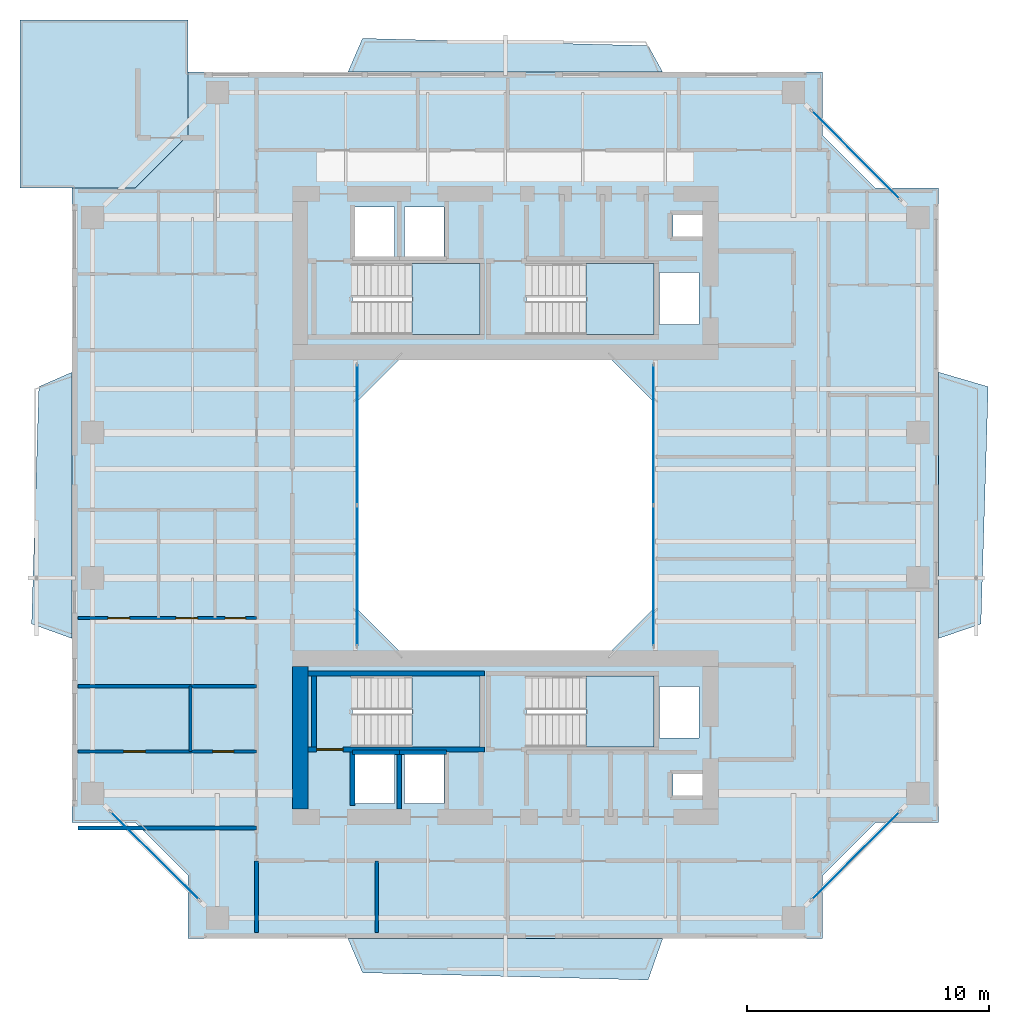
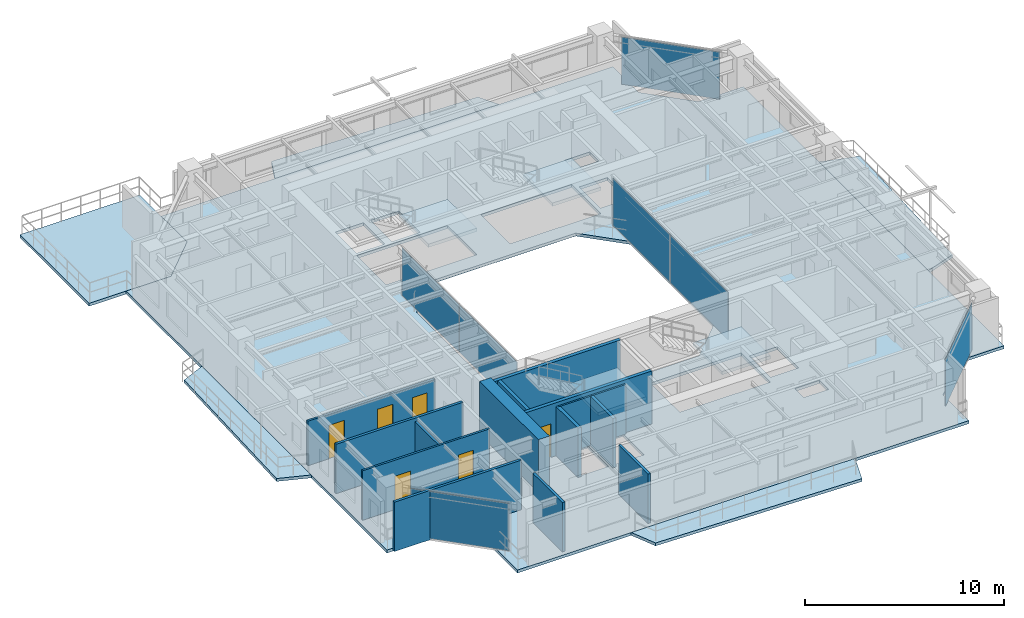
# One storey, part 9 of 18: 15 walls, 10 slabs, 7 plates, 6 doors, 6 openings, 9 elements without a shape of their own.
"""IFC4 building model written with IfcOpenShell, lengths in metres."""

from ifc_helpers import new_model, si_unit, direction, frame, frame_2d, origin, origin_2d, place, context, subcontext, project, spatial, polyline, rectangle, outline, extrude, source, transform, mapped, material, layer, layer_set, type_object, element, fill, aggregate, save


model = new_model("IFC4")

# Units and contexts
model_context = context("Model", 3, precision=1e-05, world=origin(), true_north=direction((0.0, 1.0)))
body_context = subcontext(model_context, "Body", "Model", "MODEL_VIEW")
ifc_project = project(units=[si_unit("LENGTHUNIT", "METRE"), si_unit("AREAUNIT", "SQUARE_METRE"), si_unit("VOLUMEUNIT", "CUBIC_METRE"), si_unit("PLANEANGLEUNIT", "RADIAN"), si_unit("MASSUNIT", "GRAM", prefix="KILO"), si_unit("THERMODYNAMICTEMPERATUREUNIT", "KELVIN"), si_unit("POWERUNIT", "WATT")], contexts=[model_context])

# Site, building, storey
site_placement = place(None, origin())
site = spatial("IfcSite", under=ifc_project, at=site_placement, CompositionType="ELEMENT")
building_placement = place(site_placement, origin())
building = spatial("IfcBuilding", under=site, at=building_placement, Name="Qiaomeng Ring Towers", CompositionType="ELEMENT")
storey_placement = place(building_placement, frame((0.0, 0.0, 182.75)))
storey = spatial("IfcBuildingStorey", under=building, at=storey_placement, Name="L53", CompositionType="ELEMENT", Elevation=182.75)

# Slabs
ifc_material_1 = material(Name="Concrete C40", Category="concrete")
ifc_layer_1 = layer(ifc_material_1, 0.179931640625, Name="Concrete C40")
ifc_layer_set_1 = layer_set([ifc_layer_1], Name="Concrete C40")
slab_type_1 = type_object("IfcSlabType", Name="STR-SL-180", PredefinedType="FLOOR", material=ifc_layer_set_1)
slab_1_placement = place(storey_placement, frame((0.0, 0.0, -0.179931640625)))
element("IfcSlab", 1, at=slab_1_placement, inside=storey, type_object=slab_type_1, Name="L53 Tower 1 Annular Floor Slab", PredefinedType="FLOOR", context=body_context, shape_type="SweptSolid", body=[
    extrude(outline(polyline([(5.89990234375, 5.10009765625), (32.10009765625, 5.10009765625), (32.10009765625, 7.699951171875), (34.300048828125, 9.89990234375), (36.89990234375, 9.89990234375), (36.89990234375, 36.10009765625), (34.300048828125, 36.10009765625), (32.10009765625, 38.300048828125), (32.10009765625, 40.89990234375), (5.89990234375, 40.89990234375), (5.89990234375, 38.300048828125), (3.699951171875, 36.10009765625), (1.10009765625, 36.10009765625), (1.10009765625, 9.89990234375), (3.699951171875, 9.89990234375), (5.89990234375, 7.699951171875), (5.89990234375, 5.10009765625)]), holes=[polyline([(12.780029296875, 10.679931640625), (12.780029296875, 12.820068359375), (14.419921875, 12.820068359375), (14.419921875, 10.679931640625), (12.780029296875, 10.679931640625)]), polyline([(14.830078125, 12.820068359375), (16.469970703125, 12.820068359375), (16.469970703125, 10.679931640625), (14.830078125, 10.679931640625), (14.830078125, 12.820068359375)]), polyline([(12.679931640625, 15.949951171875), (17.949951171875, 15.949951171875), (17.949951171875, 13.010009765625), (12.679931640625, 13.010009765625), (12.679931640625, 15.949951171875)]), polyline([(23.199951171875, 29.199951171875), (25.199951171875, 27.199951171875), (25.199951171875, 18.800048828125), (23.199951171875, 16.800048828125), (14.800048828125, 16.800048828125), (12.800048828125, 18.800048828125), (12.800048828125, 27.199951171875), (14.800048828125, 29.199951171875), (23.199951171875, 29.199951171875)]), polyline([(12.679931640625, 32.989990234375), (17.949951171875, 32.989990234375), (17.949951171875, 30.050048828125), (12.679931640625, 30.050048828125), (12.679931640625, 32.989990234375)]), polyline([(12.780029296875, 35.320068359375), (14.419921875, 35.320068359375), (14.419921875, 33.179931640625), (12.780029296875, 33.179931640625), (12.780029296875, 35.320068359375)]), polyline([(14.830078125, 33.179931640625), (14.830078125, 35.320068359375), (16.469970703125, 35.320068359375), (16.469970703125, 33.179931640625), (14.830078125, 33.179931640625)]), polyline([(25.919921875, 11.89990234375), (27.360107421875, 11.89990234375), (27.360107421875, 11.0), (25.919921875, 11.0), (25.919921875, 11.89990234375)]), polyline([(25.360107421875, 15.52001953125), (27.0, 15.52001953125), (27.0, 13.3798828125), (25.360107421875, 13.3798828125), (25.360107421875, 15.52001953125)]), polyline([(19.8798828125, 15.949951171875), (25.14990234375, 15.949951171875), (25.14990234375, 13.010009765625), (19.8798828125, 13.010009765625), (19.8798828125, 15.949951171875)]), polyline([(19.8798828125, 32.989990234375), (25.14990234375, 32.989990234375), (25.14990234375, 30.050048828125), (19.8798828125, 30.050048828125), (19.8798828125, 32.989990234375)]), polyline([(25.360107421875, 32.6201171875), (27.0, 32.6201171875), (27.0, 30.47998046875), (25.360107421875, 30.47998046875), (25.360107421875, 32.6201171875)]), polyline([(25.919921875, 35.0), (27.360107421875, 35.0), (27.360107421875, 34.10009765625), (25.919921875, 34.10009765625), (25.919921875, 35.0)])]), origin(), (0.0, 0.0, 1.0), 0.179931640625),
])
ifc_layer_2 = layer(ifc_material_1, 0.179931640625, Name="Concrete C40")
ifc_layer_set_2 = layer_set([ifc_layer_2], Name="Concrete C40")
slab_type_2 = type_object("IfcSlabType", Name="STR-SL-BAL", PredefinedType="FLOOR", material=ifc_layer_set_2)
slab_2_placement = place(storey_placement, frame((0.0, 0.0, -0.179931640625)))
element("IfcSlab", 2, at=slab_2_placement, inside=storey, type_object=slab_type_2, Name="L53 Tower 1 S Faceted Balcony Slab", PredefinedType="FLOOR", context=body_context, shape_type="SweptSolid", body=[
    extrude(outline(polyline([(24.89990234375, 3.389892578125), (13.10009765625, 3.68994140625), (12.5, 5.10009765625), (25.5, 5.10009765625), (24.89990234375, 3.389892578125)])), origin(), (0.0, 0.0, 1.0), 0.179931640625),
])
slab_3_placement = place(storey_placement, frame((0.0, 0.0, -0.179931640625)))
element("IfcSlab", 3, at=slab_3_placement, inside=storey, type_object=slab_type_2, Name="L53 Tower 1 E Faceted Balcony Slab", PredefinedType="FLOOR", context=body_context, shape_type="SweptSolid", body=[
    extrude(outline(polyline([(38.949951171875, 27.89990234375), (38.64990234375, 18.10009765625), (36.89990234375, 17.5), (36.89990234375, 28.5), (38.949951171875, 27.89990234375)])), origin(), (0.0, 0.0, 1.0), 0.179931640625),
])
slab_4_placement = place(storey_placement, frame((0.0, 0.0, -0.179931640625)))
element("IfcSlab", 4, at=slab_4_placement, inside=storey, type_object=slab_type_2, Name="L53 Tower 1 N Faceted Balcony Slab", PredefinedType="FLOOR", context=body_context, shape_type="SweptSolid", body=[
    extrude(outline(polyline([(12.5, 40.89990234375), (13.10009765625, 42.2900390625), (24.89990234375, 41.989990234375), (25.5, 40.89990234375), (12.5, 40.89990234375)])), origin(), (0.0, 0.0, 1.0), 0.179931640625),
])
slab_5_placement = place(storey_placement, frame((0.0, 0.0, -0.179931640625)))
element("IfcSlab", 5, at=slab_5_placement, inside=storey, type_object=slab_type_2, Name="L53 Tower 1 W Faceted Balcony Slab", PredefinedType="FLOOR", context=body_context, shape_type="SweptSolid", body=[
    extrude(outline(polyline([(-0.570068359375, 18.10009765625), (-0.27001953125, 27.89990234375), (1.10009765625, 28.5), (1.10009765625, 17.5), (-0.570068359375, 18.10009765625)])), origin(), (0.0, 0.0, 1.0), 0.179931640625),
])

# Stair, slab
ifc_material_2 = material(Name="Precast concrete C40", Category="concrete")
stair_type = type_object("IfcStairType", Name="ARC-ST-325", PredefinedType="HALF_TURN_STAIR", material=ifc_material_2)
stair_1_placement = place(storey_placement, origin())
stair_1 = element("IfcStair", 6, at=stair_1_placement, inside=storey, type_object=stair_type, Name="L53 Tower 1 North Stair 1", PredefinedType="HALF_TURN_STAIR")
ifc_layer_3 = layer(ifc_material_1, 0.199951171875, Name="Concrete C40")
ifc_layer_set_3 = layer_set([ifc_layer_3], Name="Concrete C40")
slab_type_3 = type_object("IfcSlabType", Name="STR-SL-LANDING", PredefinedType="LANDING", material=ifc_layer_set_3)
slab_6_placement = place(storey_placement, frame((0.0, 0.0, 1.425048828125)))
slab_6 = element("IfcSlab", 7, at=slab_6_placement, type_object=slab_type_3, Name="ST1 landing 1", PredefinedType="LANDING", context=body_context, shape_type="SweptSolid", body=[
    extrude(outline(polyline([(15.139892578125, 30.050048828125), (17.949951171875, 30.050048828125), (17.949951171875, 32.989990234375), (15.139892578125, 32.989990234375), (15.139892578125, 30.050048828125)])), origin(), (0.0, 0.0, 1.0), 0.199951171875),
])
aggregate(stair_1, [slab_6])

stair_2_placement = place(storey_placement, origin())
stair_2 = element("IfcStair", 8, at=stair_2_placement, inside=storey, type_object=stair_type, Name="L53 Tower 1 North Stair 2", PredefinedType="HALF_TURN_STAIR")
slab_7_placement = place(storey_placement, frame((0.0, 0.0, 1.425048828125)))
slab_7 = element("IfcSlab", 9, at=slab_7_placement, type_object=slab_type_3, Name="ST2 landing 1", PredefinedType="LANDING", context=body_context, shape_type="SweptSolid", body=[
    extrude(outline(polyline([(22.340087890625, 30.050048828125), (25.14990234375, 30.050048828125), (25.14990234375, 32.989990234375), (22.340087890625, 32.989990234375), (22.340087890625, 30.050048828125)])), origin(), (0.0, 0.0, 1.0), 0.199951171875),
])
aggregate(stair_2, [slab_7])

stair_3_placement = place(storey_placement, origin())
stair_3 = element("IfcStair", 10, at=stair_3_placement, inside=storey, type_object=stair_type, Name="L53 Tower 1 South Stair 3", PredefinedType="HALF_TURN_STAIR")
slab_8_placement = place(storey_placement, frame((0.0, 0.0, 1.425048828125)))
slab_8 = element("IfcSlab", 11, at=slab_8_placement, type_object=slab_type_3, Name="ST3 landing 1", PredefinedType="LANDING", context=body_context, shape_type="SweptSolid", body=[
    extrude(outline(polyline([(15.139892578125, 13.010009765625), (17.949951171875, 13.010009765625), (17.949951171875, 15.949951171875), (15.139892578125, 15.949951171875), (15.139892578125, 13.010009765625)])), origin(), (0.0, 0.0, 1.0), 0.199951171875),
])
aggregate(stair_3, [slab_8])

stair_4_placement = place(storey_placement, origin())
stair_4 = element("IfcStair", 12, at=stair_4_placement, inside=storey, type_object=stair_type, Name="L53 Tower 1 South Stair 4", PredefinedType="HALF_TURN_STAIR")
slab_9_placement = place(storey_placement, frame((0.0, 0.0, 1.425048828125)))
slab_9 = element("IfcSlab", 13, at=slab_9_placement, type_object=slab_type_3, Name="ST4 landing 1", PredefinedType="LANDING", context=body_context, shape_type="SweptSolid", body=[
    extrude(outline(polyline([(22.340087890625, 13.010009765625), (25.14990234375, 13.010009765625), (25.14990234375, 15.949951171875), (22.340087890625, 15.949951171875), (22.340087890625, 13.010009765625)])), origin(), (0.0, 0.0, 1.0), 0.199951171875),
])
aggregate(stair_4, [slab_9])

# Slab
ifc_layer_4 = layer(ifc_material_1, 0.179931640625, Name="Concrete C40")
ifc_layer_set_4 = layer_set([ifc_layer_4], Name="Concrete C40")
slab_type_4 = type_object("IfcSlabType", Name="STR-SL-TERR180", PredefinedType="FLOOR", material=ifc_layer_set_4)
slab_10_placement = place(storey_placement, frame((0.0, 0.0, -0.179931640625)))
element("IfcSlab", 14, at=slab_10_placement, inside=storey, type_object=slab_type_4, Name="L53 Spiralling Corner Sky Terrace NW", PredefinedType="FLOOR", context=body_context, shape_type="SweptSolid", body=[
    extrude(outline(polyline([(-1.050048828125, 36.10009765625), (-1.050048828125, 43.050048828125), (5.89990234375, 43.050048828125), (5.89990234375, 40.89990234375), (5.89990234375, 40.89990234375), (5.89990234375, 38.300048828125), (3.699951171875, 36.10009765625), (1.10009765625, 36.10009765625), (-1.050048828125, 36.10009765625)])), origin(), (0.0, 0.0, 1.0), 0.179931640625),
])

# Curtain wall, plates
ifc_material_3 = material(Name="Fluorocarbon dark-grey aluminium", Category="aluminium")
ifc_layer_5 = layer(ifc_material_3, 0.139892578125, Name="Fluorocarbon dark-grey aluminium")
ifc_layer_set_5 = layer_set([ifc_layer_5], Name="Fluorocarbon dark-grey aluminium")
curtain_wall_type_1 = type_object("IfcCurtainWallType", Name="ARC-CW-4", PredefinedType="NOTDEFINED", material=ifc_layer_set_5)
curtain_wall_1_placement = place(storey_placement, origin())
curtain_wall_1 = element("IfcCurtainWall", 15, at=curtain_wall_1_placement, inside=storey, type_object=curtain_wall_type_1, Name="L53 Curtain Wall CW4", PredefinedType="NOTDEFINED")
ifc_material_4 = material(Name="Low-E dark-grey laminated double glazing", Category="glass")
ifc_layer_6 = layer(ifc_material_4, 0.028076171875, Name="Low-E dark-grey laminated double glazing")
ifc_layer_set_6 = layer_set([ifc_layer_6], Name="Low-E dark-grey laminated double glazing")
plate_type = type_object("IfcPlateType", Name="ARC-CWP-DARK", PredefinedType="CURTAIN_PANEL", material=ifc_layer_set_6)
shared_shape_1 = source(origin(), body_context, "Body", "SweptSolid", [
    extrude(rectangle(XDim=5.75244140625, YDim=0.028076171875, at=origin_2d()), origin(), (0.0, 0.0, 1.0), 2.89990234375),
])
plate_1_placement = place(storey_placement, frame((12.8798828125, 20.09130859375, 0.06494140625), z_axis=(0.0, 0.0, 1.0), x_axis=(0.0, 1.0, 0.0)))
plate_1 = element("IfcPlate", 16, at=plate_1_placement, type_object=plate_type, Name="CW4 panel 1.1", PredefinedType="CURTAIN_PANEL", context=body_context, shape_type="MappedRepresentation", body=[
    mapped(shared_shape_1, transform((0.0, 0.0, 0.0), x_axis=(1.0, 0.0, 0.0), y_axis=(0.0, 1.0, 0.0), z_axis=(0.0, 0.0, 1.0), scale=1.0)),
])
plate_2_placement = place(storey_placement, frame((12.8798828125, 25.90869140625, 0.06494140625), z_axis=(0.0, 0.0, 1.0), x_axis=(0.0, 1.0, 0.0)))
plate_2 = element("IfcPlate", 17, at=plate_2_placement, type_object=plate_type, Name="CW4 panel 2.1", PredefinedType="CURTAIN_PANEL", context=body_context, shape_type="MappedRepresentation", body=[
    mapped(shared_shape_1, transform((0.0, 0.0, 0.0), x_axis=(1.0, 0.0, 0.0), y_axis=(0.0, 1.0, 0.0), z_axis=(0.0, 0.0, 1.0), scale=1.0)),
])
aggregate(curtain_wall_1, [plate_1, plate_2])

curtain_wall_2_placement = place(storey_placement, origin())
curtain_wall_2 = element("IfcCurtainWall", 18, at=curtain_wall_2_placement, inside=storey, type_object=curtain_wall_type_1, Name="L53 Curtain Wall CW4", PredefinedType="NOTDEFINED")
plate_3_placement = place(storey_placement, frame((25.1201171875, 20.09130859375, 0.06494140625), z_axis=(0.0, 0.0, 1.0), x_axis=(0.0, 1.0, 0.0)))
plate_3 = element("IfcPlate", 19, at=plate_3_placement, type_object=plate_type, Name="CW4 panel 1.1", PredefinedType="CURTAIN_PANEL", context=body_context, shape_type="MappedRepresentation", body=[
    mapped(shared_shape_1, transform((0.0, 0.0, 0.0), x_axis=(1.0, 0.0, 0.0), y_axis=(0.0, 1.0, 0.0), z_axis=(0.0, 0.0, 1.0), scale=1.0)),
])
plate_4_placement = place(storey_placement, frame((25.1201171875, 25.90869140625, 0.06494140625), z_axis=(0.0, 0.0, 1.0), x_axis=(0.0, 1.0, 0.0)))
plate_4 = element("IfcPlate", 20, at=plate_4_placement, type_object=plate_type, Name="CW4 panel 2.1", PredefinedType="CURTAIN_PANEL", context=body_context, shape_type="MappedRepresentation", body=[
    mapped(shared_shape_1, transform((0.0, 0.0, 0.0), x_axis=(1.0, 0.0, 0.0), y_axis=(0.0, 1.0, 0.0), z_axis=(0.0, 0.0, 1.0), scale=1.0)),
])
aggregate(curtain_wall_2, [plate_3, plate_4])

# Curtain wall, plate
ifc_layer_7 = layer(ifc_material_3, 0.14990234375, Name="Fluorocarbon dark-grey aluminium")
ifc_layer_set_7 = layer_set([ifc_layer_7], Name="Fluorocarbon dark-grey aluminium")
curtain_wall_type_2 = type_object("IfcCurtainWallType", Name="ARC-CW-3", PredefinedType="NOTDEFINED", material=ifc_layer_set_7)
curtain_wall_3_placement = place(storey_placement, origin())
curtain_wall_3 = element("IfcCurtainWall", 21, at=curtain_wall_3_placement, inside=storey, type_object=curtain_wall_type_2, Name="L53 Curtain Wall CW3", PredefinedType="NOTDEFINED")
shared_shape_2 = source(origin(), body_context, "Body", "SweptSolid", [
    extrude(rectangle(XDim=5.120849609375, YDim=0.028076171875, at=origin_2d()), origin(), (0.0, 0.0, 1.0), 2.89990234375),
])
plate_5_placement = place(storey_placement, frame((33.47509765625, 8.52490234375, 0.06494140625), z_axis=(0.0, 0.0, 1.0), x_axis=(0.707106781187, 0.707106781187, 0.0)))
plate_5 = element("IfcPlate", 22, at=plate_5_placement, type_object=plate_type, Name="CW3 panel 1.1", PredefinedType="CURTAIN_PANEL", context=body_context, shape_type="MappedRepresentation", body=[
    mapped(shared_shape_2, transform((0.0, 0.0, 0.0), x_axis=(1.0, 0.0, 0.0), y_axis=(0.0, 1.0, 0.0), z_axis=(0.0, 0.0, 1.0), scale=1.0)),
])
aggregate(curtain_wall_3, [plate_5])

curtain_wall_4_placement = place(storey_placement, origin())
curtain_wall_4 = element("IfcCurtainWall", 23, at=curtain_wall_4_placement, inside=storey, type_object=curtain_wall_type_2, Name="L53 Curtain Wall CW3", PredefinedType="NOTDEFINED")
plate_6_placement = place(storey_placement, frame((33.47509765625, 37.47509765625, 0.06494140625), z_axis=(0.0, 0.0, 1.0), x_axis=(-0.707106781187, 0.707106781187, 0.0)))
plate_6 = element("IfcPlate", 24, at=plate_6_placement, type_object=plate_type, Name="CW3 panel 1.1", PredefinedType="CURTAIN_PANEL", context=body_context, shape_type="MappedRepresentation", body=[
    mapped(shared_shape_2, transform((0.0, 0.0, 0.0), x_axis=(1.0, 0.0, 0.0), y_axis=(0.0, 1.0, 0.0), z_axis=(0.0, 0.0, 1.0), scale=1.0)),
])
aggregate(curtain_wall_4, [plate_6])

curtain_wall_5_placement = place(storey_placement, origin())
curtain_wall_5 = element("IfcCurtainWall", 25, at=curtain_wall_5_placement, inside=storey, type_object=curtain_wall_type_2, Name="L53 Curtain Wall CW3", PredefinedType="NOTDEFINED")
plate_7_placement = place(storey_placement, frame((4.52490234375, 8.52490234375, 0.06494140625), z_axis=(0.0, 0.0, 1.0), x_axis=(0.707106781187, -0.707106781187, 0.0)))
plate_7 = element("IfcPlate", 26, at=plate_7_placement, type_object=plate_type, Name="CW3 panel 1.1", PredefinedType="CURTAIN_PANEL", context=body_context, shape_type="MappedRepresentation", body=[
    mapped(shared_shape_2, transform((0.0, 0.0, 0.0), x_axis=(1.0, 0.0, 0.0), y_axis=(0.0, 1.0, 0.0), z_axis=(0.0, 0.0, 1.0), scale=1.0)),
])
aggregate(curtain_wall_5, [plate_7])

# Walls
ifc_material_5 = material(Name="Autoclaved aerated concrete block", Category="concrete")
ifc_layer_8 = layer(ifc_material_5, 0.199951171875, Name="Autoclaved aerated concrete block")
ifc_layer_set_8 = layer_set([ifc_layer_8], Name="Autoclaved aerated concrete block")
wall_type_1 = type_object("IfcWallType", Name="ARC-WL-PW1", PredefinedType="PARTITIONING", material=ifc_layer_set_8)
wall_1_placement = place(storey_placement, frame((12.679931640625, 10.60009765625, 0.0), z_axis=(0.0, 0.0, 1.0), x_axis=(0.0, 1.0, 0.0)))
element("IfcWall", 27, at=wall_1_placement, inside=storey, type_object=wall_type_1, Name="L53 Interior Wall PW1", PredefinedType="PARTITIONING", context=body_context, shape_type="SweptSolid", body=[
    extrude(rectangle(XDim=2.2099609375, YDim=0.199951171875, at=frame_2d((1.10498046875, 0.0))), origin(), (0.0, 0.0, 1.0), 3.030029296875),
])
ifc_material_6 = material(Name="Gypsum fireboard steel-stud partition", Category="steel")
ifc_layer_9 = layer(ifc_material_6, 0.14990234375, Name="Gypsum fireboard steel-stud partition")
ifc_layer_set_9 = layer_set([ifc_layer_9], Name="Gypsum fireboard steel-stud partition")
wall_type_2 = type_object("IfcWallType", Name="ARC-WL-PW3", PredefinedType="PARTITIONING", material=ifc_layer_set_9)
for number, where, z_axis, x_axis, name in (
    (28, (13.68994140625, 5.35009765625, 0.0), (0.0, 0.0, 1.0), (0.0, 1.0, 0.0), "L53 Interior Wall PW3"),
    (29, (8.719970703125, 5.35009765625, 0.0), (0.0, 0.0, 1.0), (0.0, 1.0, 0.0), "L53 Interior Wall PW3"),
):
    element("IfcWall", number, at=place(storey_placement, frame(where, z_axis=z_axis, x_axis=x_axis)), inside=storey, type_object=wall_type_2, Name=name, PredefinedType="PARTITIONING", context=body_context, shape_type="SweptSolid", body=[
        extrude(rectangle(XDim=2.9599609375, YDim=0.14990234375, at=frame_2d((1.47998046875, 0.0))), origin(), (0.0, 0.0, 1.0), 3.030029296875),
    ])
for number, where, z_axis, x_axis, name in (
    (30, (1.35009765625, 9.669921875, 0.0), (0.0, 0.0, 1.0), (1.0, 0.0, 0.0), "L53 Interior Wall PW3"),
    (31, (1.35009765625, 15.530029296875, 0.0), (0.0, 0.0, 1.0), (1.0, 0.0, 0.0), "L53 Interior Wall PW3"),
):
    element("IfcWall", number, at=place(storey_placement, frame(where, z_axis=z_axis, x_axis=x_axis)), inside=storey, type_object=wall_type_2, Name=name, PredefinedType="PARTITIONING", context=body_context, shape_type="SweptSolid", body=[
        extrude(rectangle(XDim=7.369873046875, YDim=0.14990234375, at=frame_2d((3.68505859375, 0.0))), origin(), (0.0, 0.0, 1.0), 3.030029296875),
    ])

# Wall, openings, doors
ifc_material_7 = material(Name="Moisture-resistant gypsum steel-stud partition", Category="steel")
ifc_layer_10 = layer(ifc_material_7, 0.1201171875, Name="Moisture-resistant gypsum steel-stud partition")
ifc_layer_set_10 = layer_set([ifc_layer_10], Name="Moisture-resistant gypsum steel-stud partition")
wall_type_3 = type_object("IfcWallType", Name="ARC-WL-PW4", PredefinedType="PLUMBINGWALL", material=ifc_layer_set_10)
wall_2_placement = place(storey_placement, frame((1.35009765625, 12.830078125, 0.0), z_axis=(0.0, 0.0, 1.0), x_axis=(1.0, 0.0, 0.0)))
wall_2 = element("IfcWall", 32, at=wall_2_placement, inside=storey, type_object=wall_type_3, Name="L53 Interior Wall PW4", PredefinedType="PLUMBINGWALL", context=body_context, shape_type="SweptSolid", body=[
    extrude(rectangle(XDim=7.369873046875, YDim=0.1201171875, at=frame_2d((3.68505859375, 0.0))), origin(), (0.0, 0.0, 1.0), 3.030029296875),
])
opening_1_placement = place(wall_2_placement, frame((1.8798828125, 0.0, 0.0)))
opening_1 = element("IfcOpeningElement", 33, at=opening_1_placement, cuts=wall_2, Name="Opening ID1", PredefinedType="OPENING", context=body_context, shape_type="SweptSolid", body=[
    extrude(rectangle(XDim=0.89990234375, YDim=2.050048828125, at=frame_2d((0.449951171875, 1.02490234375))), frame((0.0, 0.070068359375, 0.0), z_axis=(0.0, -1.0, 0.0), x_axis=(1.0, 0.0, 0.0)), (0.0, 0.0, 1.0), 0.14013671875),
])
opening_2_placement = place(wall_2_placement, frame((5.570068359375, 0.0, 0.0)))
opening_2 = element("IfcOpeningElement", 34, at=opening_2_placement, cuts=wall_2, Name="Opening ID2", PredefinedType="OPENING", context=body_context, shape_type="SweptSolid", body=[
    extrude(rectangle(XDim=0.85009765625, YDim=2.050048828125, at=frame_2d((0.425048828125, 1.02490234375))), frame((0.0, 0.070068359375, 0.0), z_axis=(0.0, -1.0, 0.0), x_axis=(1.0, 0.0, 0.0)), (0.0, 0.0, 1.0), 0.14013671875),
])
ifc_material_8 = material(Name="Moisture-resistant engineered timber", Category="wood")
door_type_1 = type_object("IfcDoorType", Name="ARC-DR-ID2", OperationType="NOTDEFINED", PredefinedType="DOOR", material=ifc_material_8)
shared_shape_3 = source(origin(), body_context, "Body", "SweptSolid", [
    extrude(rectangle(XDim=0.85009765625, YDim=2.050048828125, at=frame_2d((0.425048828125, 1.02490234375))), frame((0.0, 0.02490234375, 0.0), z_axis=(0.0, -1.0, 0.0), x_axis=(1.0, 0.0, 0.0)), (0.0, 0.0, 1.0), 0.050048828125),
])
door_1_placement = place(opening_2_placement, origin())
door_1 = element("IfcDoor", 35, at=door_1_placement, inside=storey, type_object=door_type_1, Name="L53 Door ID2", OperationType="SINGLE_SWING_RIGHT", OverallHeight=2.050048828125, OverallWidth=0.85009765625, PredefinedType="DOOR", context=body_context, shape_type="MappedRepresentation", body=[
    mapped(shared_shape_3, transform((0.0, 0.0, 0.0), x_axis=(1.0, 0.0, 0.0), y_axis=(0.0, 1.0, 0.0), z_axis=(0.0, 0.0, 1.0), scale=1.0)),
])
fill(opening_2, door_1)
ifc_material_9 = material(Name="Engineered oak timber", Category="wood")
door_type_2 = type_object("IfcDoorType", Name="ARC-DR-ID1", OperationType="NOTDEFINED", PredefinedType="DOOR", material=ifc_material_9)
shared_shape_4 = source(origin(), body_context, "Body", "SweptSolid", [
    extrude(rectangle(XDim=0.89990234375, YDim=2.050048828125, at=frame_2d((0.449951171875, 1.02490234375))), frame((0.0, 0.02490234375, 0.0), z_axis=(0.0, -1.0, 0.0), x_axis=(1.0, 0.0, 0.0)), (0.0, 0.0, 1.0), 0.050048828125),
])
door_2_placement = place(opening_1_placement, origin())
door_2 = element("IfcDoor", 36, at=door_2_placement, inside=storey, type_object=door_type_2, Name="L53 Door ID1", OperationType="SINGLE_SWING_LEFT", OverallHeight=2.050048828125, OverallWidth=0.89990234375, PredefinedType="DOOR", context=body_context, shape_type="MappedRepresentation", body=[
    mapped(shared_shape_4, transform((0.0, 0.0, 0.0), x_axis=(1.0, 0.0, 0.0), y_axis=(0.0, 1.0, 0.0), z_axis=(0.0, 0.0, 1.0), scale=1.0)),
])
fill(opening_1, door_2)

# Wall
wall_3_placement = place(storey_placement, frame((5.989990234375, 12.830078125, 0.0), z_axis=(0.0, 0.0, 1.0), x_axis=(0.0, 1.0, 0.0)))
element("IfcWall", 37, at=wall_3_placement, inside=storey, type_object=wall_type_3, Name="L53 Interior Wall PW4", PredefinedType="PLUMBINGWALL", context=body_context, shape_type="SweptSolid", body=[
    extrude(rectangle(XDim=2.699951171875, YDim=0.1201171875, at=frame_2d((1.35009765625, 0.0))), origin(), (0.0, 0.0, 1.0), 2.824951171875),
])

# Wall, openings, doors
wall_4_placement = place(storey_placement, frame((1.35009765625, 18.340087890625, 0.0), z_axis=(0.0, 0.0, 1.0), x_axis=(1.0, 0.0, 0.0)))
wall_4 = element("IfcWall", 38, at=wall_4_placement, inside=storey, type_object=wall_type_3, Name="L53 Interior Wall PW4", PredefinedType="PLUMBINGWALL", context=body_context, shape_type="SweptSolid", body=[
    extrude(rectangle(XDim=7.369873046875, YDim=0.1201171875, at=frame_2d((3.68505859375, 0.0))), origin(), (0.0, 0.0, 1.0), 2.73095703125),
])
opening_3_placement = place(wall_4_placement, frame((1.22509765625, 0.0, 0.0)))
opening_3 = element("IfcOpeningElement", 39, at=opening_3_placement, cuts=wall_4, Name="Opening ID1", PredefinedType="OPENING", context=body_context, shape_type="SweptSolid", body=[
    extrude(rectangle(XDim=0.89990234375, YDim=2.050048828125, at=frame_2d((0.449951171875, 1.02490234375))), frame((0.0, 0.070068359375, 0.0), z_axis=(0.0, -1.0, 0.0), x_axis=(1.0, 0.0, 0.0)), (0.0, 0.0, 1.0), 0.14013671875),
])
opening_4_placement = place(wall_4_placement, frame((4.0400390625, 0.0, 0.0)))
opening_4 = element("IfcOpeningElement", 40, at=opening_4_placement, cuts=wall_4, Name="Opening ID1", PredefinedType="OPENING", context=body_context, shape_type="SweptSolid", body=[
    extrude(rectangle(XDim=0.89990234375, YDim=2.050048828125, at=frame_2d((0.449951171875, 1.02490234375))), frame((0.0, 0.070068359375, 0.0), z_axis=(0.0, -1.0, 0.0), x_axis=(1.0, 0.0, 0.0)), (0.0, 0.0, 1.0), 0.14013671875),
])
opening_5_placement = place(wall_4_placement, frame((6.074951171875, 0.0, 0.0)))
opening_5 = element("IfcOpeningElement", 41, at=opening_5_placement, cuts=wall_4, Name="Opening ID2", PredefinedType="OPENING", context=body_context, shape_type="SweptSolid", body=[
    extrude(rectangle(XDim=0.85009765625, YDim=2.050048828125, at=frame_2d((0.425048828125, 1.02490234375))), frame((0.0, 0.070068359375, 0.0), z_axis=(0.0, -1.0, 0.0), x_axis=(1.0, 0.0, 0.0)), (0.0, 0.0, 1.0), 0.14013671875),
])
door_3_placement = place(opening_5_placement, origin())
door_3 = element("IfcDoor", 42, at=door_3_placement, inside=storey, type_object=door_type_1, Name="L53 Door ID2", OperationType="SINGLE_SWING_RIGHT", OverallHeight=2.050048828125, OverallWidth=0.85009765625, PredefinedType="DOOR", context=body_context, shape_type="MappedRepresentation", body=[
    mapped(shared_shape_3, transform((0.0, 0.0, 0.0), x_axis=(1.0, 0.0, 0.0), y_axis=(0.0, 1.0, 0.0), z_axis=(0.0, 0.0, 1.0), scale=1.0)),
])
fill(opening_5, door_3)
door_4_placement = place(opening_3_placement, origin())
door_4 = element("IfcDoor", 43, at=door_4_placement, inside=storey, type_object=door_type_2, Name="L53 Door ID1", OperationType="SINGLE_SWING_RIGHT", OverallHeight=2.050048828125, OverallWidth=0.89990234375, PredefinedType="DOOR", context=body_context, shape_type="MappedRepresentation", body=[
    mapped(shared_shape_4, transform((0.0, 0.0, 0.0), x_axis=(1.0, 0.0, 0.0), y_axis=(0.0, 1.0, 0.0), z_axis=(0.0, 0.0, 1.0), scale=1.0)),
])
fill(opening_3, door_4)
door_5_placement = place(opening_4_placement, origin())
door_5 = element("IfcDoor", 44, at=door_5_placement, inside=storey, type_object=door_type_2, Name="L53 Door ID1", OperationType="SINGLE_SWING_LEFT", OverallHeight=2.050048828125, OverallWidth=0.89990234375, PredefinedType="DOOR", context=body_context, shape_type="MappedRepresentation", body=[
    mapped(shared_shape_4, transform((0.0, 0.0, 0.0), x_axis=(1.0, 0.0, 0.0), y_axis=(0.0, 1.0, 0.0), z_axis=(0.0, 0.0, 1.0), scale=1.0)),
])
fill(opening_4, door_5)

# Walls
ifc_layer_11 = layer(ifc_material_1, 0.199951171875, Name="Concrete C40")
ifc_layer_set_11 = layer_set([ifc_layer_11], Name="Concrete C40")
wall_type_4 = type_object("IfcWallType", Name="STR-WL-STSHAFT", PredefinedType="SHEAR", material=ifc_layer_set_11)
wall_5_placement = place(storey_placement, frame((12.679931640625, 12.800048828125, 0.0), z_axis=(0.0, 0.0, 1.0), x_axis=(1.0, 0.0, 0.0)))
element("IfcWall", 45, at=wall_5_placement, inside=storey, type_object=wall_type_4, Name="L53 Lift LP6 Shaft Back Wall", PredefinedType="SHEAR", context=body_context, shape_type="SweptSolid", body=[
    extrude(rectangle(XDim=1.940185546875, YDim=0.179931640625, at=frame_2d((0.97021484375, 0.0))), origin(), (0.0, 0.0, 1.0), 3.030029296875),
])
wall_6_placement = place(storey_placement, frame((14.6201171875, 10.449951171875, 0.0), z_axis=(0.0, 0.0, 1.0), x_axis=(0.0, 1.0, 0.0)))
element("IfcWall", 46, at=wall_6_placement, inside=storey, type_object=wall_type_4, Name="L53 Lift LP6-LP4 Shaft Divider Wall", PredefinedType="SHEAR", context=body_context, shape_type="SweptSolid", body=[
    extrude(rectangle(XDim=2.35009765625, YDim=0.179931640625, at=frame_2d((1.175048828125, 0.0))), origin(), (0.0, 0.0, 1.0), 3.030029296875),
])
wall_7_placement = place(storey_placement, frame((14.6201171875, 12.800048828125, 0.0), z_axis=(0.0, 0.0, 1.0), x_axis=(1.0, 0.0, 0.0)))
element("IfcWall", 47, at=wall_7_placement, inside=storey, type_object=wall_type_4, Name="L53 Lift LP4 Shaft Back Wall", PredefinedType="SHEAR", context=body_context, shape_type="SweptSolid", body=[
    extrude(rectangle(XDim=1.9599609375, YDim=0.179931640625, at=frame_2d((0.97998046875, 0.0))), origin(), (0.0, 0.0, 1.0), 3.030029296875),
])

# Wall, opening, door
wall_8_placement = place(storey_placement, frame((10.85009765625, 12.909912109375, 0.0), z_axis=(0.0, 0.0, 1.0), x_axis=(1.0, 0.0, 0.0)))
wall_8 = element("IfcWall", 48, at=wall_8_placement, inside=storey, type_object=wall_type_4, Name="L53 Stair ST3 South Shaft Shear Wall", PredefinedType="SHEAR", context=body_context, shape_type="SweptSolid", body=[
    extrude(rectangle(XDim=7.2998046875, YDim=0.199951171875, at=frame_2d((3.64990234375, 0.0))), origin(), (0.0, 0.0, 1.0), 3.25),
])
opening_6_placement = place(wall_8_placement, frame((0.35009765625, 0.0, 0.0)))
opening_6 = element("IfcOpeningElement", 49, at=opening_6_placement, cuts=wall_8, Name="Opening FD3", PredefinedType="OPENING", context=body_context, shape_type="SweptSolid", body=[
    extrude(rectangle(XDim=1.10009765625, YDim=2.050048828125, at=frame_2d((0.550048828125, 1.02490234375))), frame((0.0, 0.10986328125, 0.0), z_axis=(0.0, -1.0, 0.0), x_axis=(1.0, 0.0, 0.0)), (0.0, 0.0, 1.0), 0.219970703125),
])
ifc_material_10 = material(Name="Galvanised steel", Category="steel")
door_type_3 = type_object("IfcDoorType", Name="ARC-DR-FD3", OperationType="NOTDEFINED", PredefinedType="DOOR", material=ifc_material_10)
shared_shape_5 = source(origin(), body_context, "Body", "SweptSolid", [
    extrude(rectangle(XDim=1.10009765625, YDim=2.050048828125, at=frame_2d((0.550048828125, 1.02490234375))), frame((0.0, 0.02490234375, 0.0), z_axis=(0.0, -1.0, 0.0), x_axis=(1.0, 0.0, 0.0)), (0.0, 0.0, 1.0), 0.050048828125),
])
door_6_placement = place(opening_6_placement, frame((1.10009765625, 0.0, 0.0), z_axis=(0.0, 0.0, 1.0), x_axis=(-1.0, 0.0, 0.0)))
door_6 = element("IfcDoor", 50, at=door_6_placement, inside=storey, type_object=door_type_3, Name="L53 Stair ST3 Exit Door", OperationType="SINGLE_SWING_RIGHT", OverallHeight=2.050048828125, OverallWidth=1.10009765625, PredefinedType="DOOR", context=body_context, shape_type="MappedRepresentation", body=[
    mapped(shared_shape_5, transform((0.0, 0.0, 0.0), x_axis=(1.0, 0.0, 0.0), y_axis=(0.0, 1.0, 0.0), z_axis=(0.0, 0.0, 1.0), scale=1.0)),
])
fill(opening_6, door_6)

# Walls
wall_9_placement = place(storey_placement, frame((10.85009765625, 16.050048828125, 0.0), z_axis=(0.0, 0.0, 1.0), x_axis=(1.0, 0.0, 0.0)))
element("IfcWall", 51, at=wall_9_placement, inside=storey, type_object=wall_type_4, Name="L53 Stair ST3 North Shaft Shear Wall", PredefinedType="SHEAR", context=body_context, shape_type="SweptSolid", body=[
    extrude(rectangle(XDim=7.2998046875, YDim=0.199951171875, at=frame_2d((3.64990234375, 0.0))), origin(), (0.0, 0.0, 1.0), 3.25),
])
wall_10_placement = place(storey_placement, frame((11.10009765625, 13.010009765625, 0.0), z_axis=(0.0, 0.0, 1.0), x_axis=(0.0, 1.0, 0.0)))
element("IfcWall", 52, at=wall_10_placement, inside=storey, type_object=wall_type_4, Name="L53 Stair ST3 West Shaft Shear Wall", PredefinedType="SHEAR", context=body_context, shape_type="SweptSolid", body=[
    extrude(rectangle(XDim=2.93994140625, YDim=0.199951171875, at=frame_2d((1.469970703125, 0.0))), origin(), (0.0, 0.0, 1.0), 3.25),
])
ifc_material_11 = material(Name="Concrete C50", Category="concrete")
ifc_layer_12 = layer(ifc_material_11, 0.64990234375, Name="Concrete C50")
ifc_layer_set_12 = layer_set([ifc_layer_12], Name="Concrete C50")
wall_type_5 = type_object("IfcWallType", Name="STR-WL-SW2B", PredefinedType="SHEAR", material=ifc_layer_set_12)
wall_11_placement = place(storey_placement, frame((10.52490234375, 10.449951171875, 0.0), z_axis=(0.0, 0.0, 1.0), x_axis=(0.0, 1.0, 0.0)))
element("IfcWall", 53, at=wall_11_placement, inside=storey, type_object=wall_type_5, Name="L53 T1SC west core shear wall", PredefinedType="SHEAR", context=body_context, shape_type="SweptSolid", body=[
    extrude(rectangle(XDim=5.900146484375, YDim=0.64990234375, at=frame_2d((2.9501953125, 0.0))), origin(), (0.0, 0.0, 1.0), 3.25),
])

save(model, "model.ifc")
